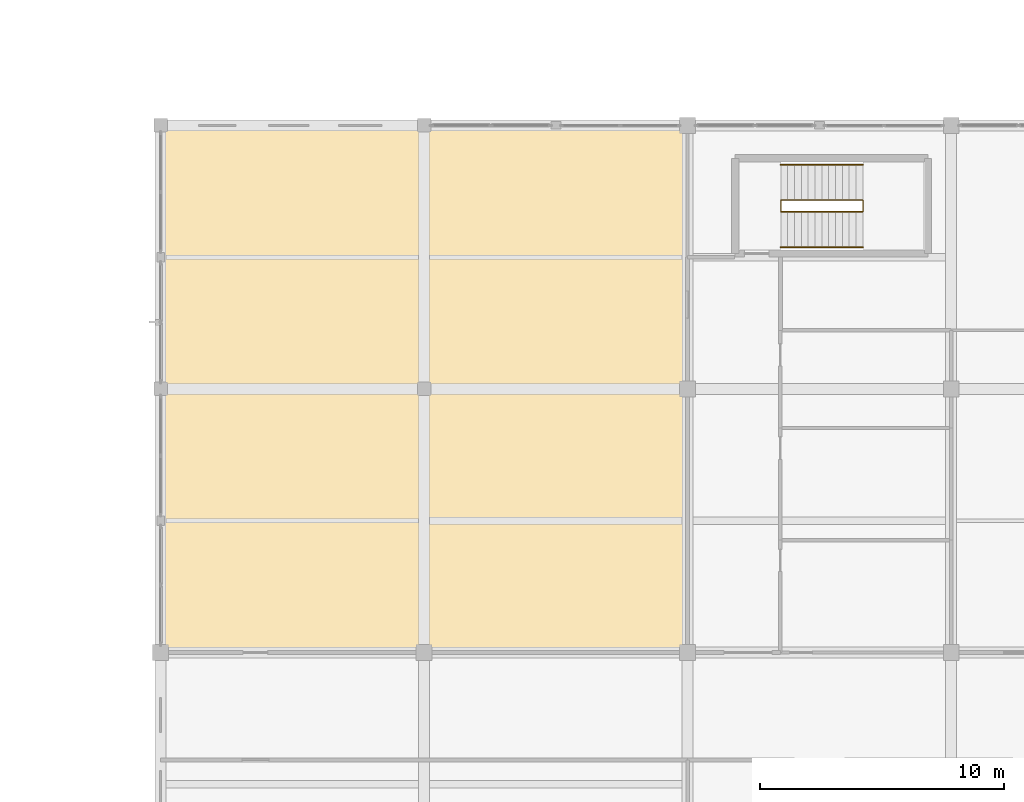
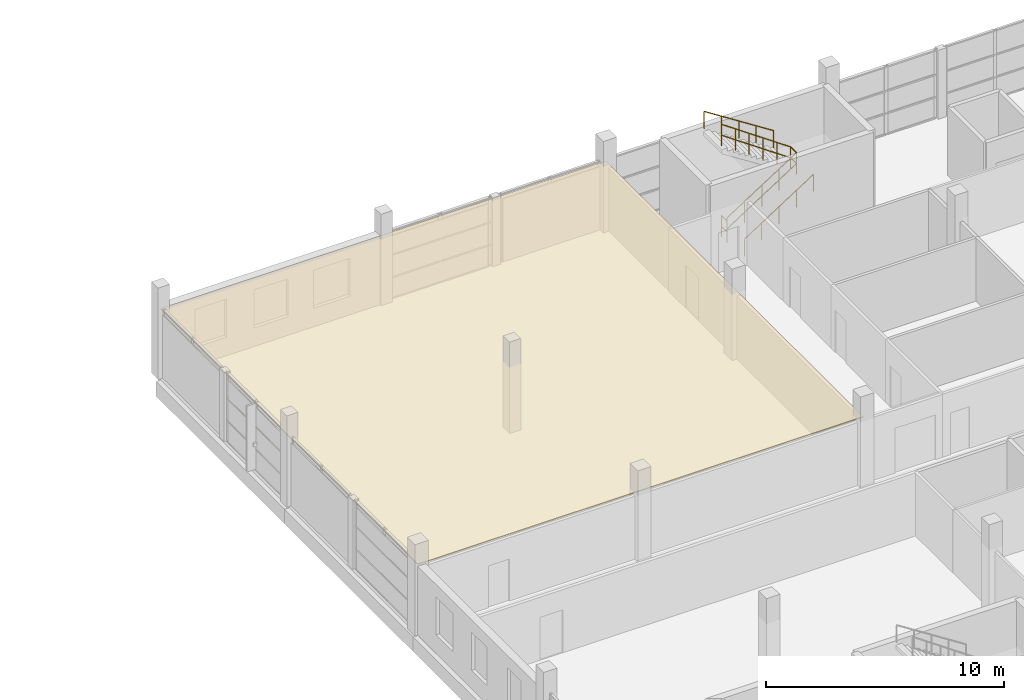
# One storey, part 23 of 24: 4 railings, 1 covering.
"""IFC4 building model written with IfcOpenShell, lengths in metres."""

from ifc_helpers import new_model, si_unit, direction, frame, origin, origin_2d, place, context, subcontext, project, spatial, polyline, circle, outline, extrude, material, layer, layer_set, type_object, element, save


model = new_model("IFC4")

# Units and contexts
model_context = context("Model", 3, precision=1e-05, world=origin(), true_north=direction((0.0, 1.0)))
body_context = subcontext(model_context, "Body", "Model", "MODEL_VIEW")
ifc_project = project(units=[si_unit("LENGTHUNIT", "METRE"), si_unit("AREAUNIT", "SQUARE_METRE"), si_unit("VOLUMEUNIT", "CUBIC_METRE"), si_unit("PLANEANGLEUNIT", "RADIAN"), si_unit("MASSUNIT", "GRAM", prefix="KILO")], contexts=[model_context])

# Site, building, storey
site_placement = place(None, origin())
site = spatial("IfcSite", under=ifc_project, at=site_placement, CompositionType="ELEMENT")
building_placement = place(site_placement, origin())
building = spatial("IfcBuilding", under=site, at=building_placement, Name="Zwinboog Wholesale Market", CompositionType="ELEMENT")
storey_placement = place(building_placement, frame((0.0, 0.0, 10.080078125)))
storey = spatial("IfcBuildingStorey", under=building, at=storey_placement, Name="L02", CompositionType="ELEMENT", Elevation=10.080078125)

# Railings
ifc_material_1 = material(Name="Steel S355", Category="steel")
railing_type_1 = type_object("IfcRailingType", Name="RLT-INT-GUARD", PredefinedType="BALUSTRADE", material=ifc_material_1)
railing_1_placement = place(storey_placement, frame((155.02001953125, 40.139892578125, 0.0)))
element("IfcRailing", 1, at=railing_1_placement, inside=storey, type_object=railing_type_1, Name="GR-02 (RLG-ST-12B-GTOP)", PredefinedType="BALUSTRADE", context=body_context, shape_type="SweptSolid", body=[
    extrude(circle(Radius=0.02392578125, at=origin_2d()), frame((0.0, 0.0, 1.09619140625), z_axis=(0.0, -1.0, 0.0), x_axis=(1.0, 0.0, 0.0)), (0.0, 0.0, 1.0), 0.47998046875),
    extrude(circle(Radius=0.02392578125, at=origin_2d()), frame((0.0, 0.0, 0.5361328125), z_axis=(0.0, -1.0, 0.0), x_axis=(1.0, 0.0, 0.0)), (0.0, 0.0, 1.0), 0.47998046875),
    extrude(circle(Radius=0.02099609375, at=origin_2d()), origin(), (0.0, 0.0, 1.0), 1.072021484375),
    extrude(circle(Radius=0.02099609375, at=origin_2d()), frame((0.0, -0.47998046875, 0.0)), (0.0, 0.0, 1.0), 1.072021484375),
])
railing_2_placement = place(storey_placement, frame((155.02001953125, 39.659912109375, 0.179931640625)))
element("IfcRailing", 2, at=railing_2_placement, inside=storey, type_object=railing_type_1, Name="GR-02 (RLG-ST-12C-G1)", PredefinedType="BALUSTRADE", context=body_context, shape_type="SweptSolid", body=[
    extrude(circle(Radius=0.02392578125, at=origin_2d()), frame((0.0, 0.0, 1.09619140625), z_axis=(0.841178475377, 0.0, 0.540757591313), x_axis=(0.0, 1.0, 0.0)), (0.0, 0.0, 1.0), 3.994140625),
    extrude(circle(Radius=0.02392578125, at=origin_2d()), frame((0.0, 0.0, 0.5361328125), z_axis=(0.841178475377, 0.0, 0.540757591313), x_axis=(0.0, 1.0, 0.0)), (0.0, 0.0, 1.0), 3.994140625),
    extrude(circle(Radius=0.02392578125, at=origin_2d()), frame((3.35986328125, 0.0, 3.255859375), z_axis=(0.0, 1.0, 0.0), x_axis=(-1.0, 0.0, 0.0)), (0.0, 0.0, 1.0), 0.47998046875),
    extrude(circle(Radius=0.02392578125, at=origin_2d()), frame((3.35986328125, 0.0, 2.69580078125), z_axis=(0.0, 1.0, 0.0), x_axis=(-1.0, 0.0, 0.0)), (0.0, 0.0, 1.0), 0.47998046875),
    extrude(circle(Radius=0.02392578125, at=origin_2d()), frame((3.35986328125, 0.47998046875, 3.255859375), z_axis=(-0.820585442616, 0.0, 0.571523867714), x_axis=(0.0, -1.0, 0.0)), (0.0, 0.0, 1.0), 4.094482421875),
    extrude(circle(Radius=0.02392578125, at=origin_2d()), frame((3.35986328125, 0.47998046875, 2.69580078125), z_axis=(-0.820585442616, 0.0, 0.571523867714), x_axis=(0.0, -1.0, 0.0)), (0.0, 0.0, 1.0), 4.094482421875),
    extrude(circle(Radius=0.02099609375, at=origin_2d()), origin(), (0.0, 0.0, 1.0), 1.072021484375),
    extrude(circle(Radius=0.02099609375, at=origin_2d()), frame((0.83984375, 0.0, 0.5400390625)), (0.0, 0.0, 1.0), 1.072021484375),
    extrude(circle(Radius=0.02099609375, at=origin_2d()), frame((1.679931640625, 0.0, 1.080078125)), (0.0, 0.0, 1.0), 1.072021484375),
    extrude(circle(Radius=0.02099609375, at=origin_2d()), frame((2.52001953125, 0.0, 1.619873046875)), (0.0, 0.0, 1.0), 1.072021484375),
    extrude(circle(Radius=0.02099609375, at=origin_2d()), frame((3.35986328125, 0.0, 2.159912109375)), (0.0, 0.0, 1.0), 1.072021484375),
    extrude(circle(Radius=0.02099609375, at=origin_2d()), frame((3.35986328125, 0.47998046875, 2.159912109375)), (0.0, 0.0, 1.0), 1.072021484375),
    extrude(circle(Radius=0.02099609375, at=origin_2d()), frame((2.68798828125, 0.47998046875, 2.6279296875)), (0.0, 0.0, 1.0), 1.072021484375),
    extrude(circle(Radius=0.02099609375, at=origin_2d()), frame((2.015869140625, 0.47998046875, 3.095947265625)), (0.0, 0.0, 1.0), 1.072021484375),
    extrude(circle(Radius=0.02099609375, at=origin_2d()), frame((1.343994140625, 0.47998046875, 3.56396484375)), (0.0, 0.0, 1.0), 1.072021484375),
    extrude(circle(Radius=0.02099609375, at=origin_2d()), frame((0.671875, 0.47998046875, 4.031982421875)), (0.0, 0.0, 1.0), 1.072021484375),
    extrude(circle(Radius=0.02099609375, at=origin_2d()), frame((0.0, 0.47998046875, 4.5)), (0.0, 0.0, 1.0), 1.072021484375),
])
railing_type_2 = type_object("IfcRailingType", Name="RLT-HANDRAIL", PredefinedType="HANDRAIL", material=ifc_material_1)
railing_3_placement = place(storey_placement, frame((155.02001953125, 38.2099609375, 0.179931640625)))
element("IfcRailing", 3, at=railing_3_placement, inside=storey, type_object=railing_type_2, Name="HR-01 (RLG-ST-12C-HR1)", PredefinedType="HANDRAIL", context=body_context, shape_type="SweptSolid", body=[
    extrude(circle(Radius=0.02392578125, at=origin_2d()), frame((0.0, 0.0, 0.8759765625), z_axis=(0.841178475377, 0.0, 0.540757591313), x_axis=(0.0, 1.0, 0.0)), (0.0, 0.0, 1.0), 3.994140625),
    extrude(circle(Radius=0.02099609375, at=origin_2d()), origin(), (0.0, 0.0, 1.0), 0.851806640625),
    extrude(circle(Radius=0.02099609375, at=origin_2d()), frame((0.83984375, 0.0, 0.5400390625)), (0.0, 0.0, 1.0), 0.851806640625),
    extrude(circle(Radius=0.02099609375, at=origin_2d()), frame((1.679931640625, 0.0, 1.080078125)), (0.0, 0.0, 1.0), 0.851806640625),
    extrude(circle(Radius=0.02099609375, at=origin_2d()), frame((2.52001953125, 0.0, 1.619873046875)), (0.0, 0.0, 1.0), 0.851806640625),
    extrude(circle(Radius=0.02099609375, at=origin_2d()), frame((3.35986328125, 0.0, 2.159912109375)), (0.0, 0.0, 1.0), 0.851806640625),
])
railing_4_placement = place(storey_placement, frame((158.3798828125, 41.590087890625, 2.52001953125)))
element("IfcRailing", 4, at=railing_4_placement, inside=storey, type_object=railing_type_2, Name="HR-01 (RLG-ST-12C-HR2)", PredefinedType="HANDRAIL", context=body_context, shape_type="SweptSolid", body=[
    extrude(circle(Radius=0.02392578125, at=origin_2d()), frame((0.0, 0.0, 0.8759765625), z_axis=(-0.841178475377, 0.0, 0.540757591313), x_axis=(0.0, -1.0, 0.0)), (0.0, 0.0, 1.0), 3.994140625),
    extrude(circle(Radius=0.02099609375, at=origin_2d()), origin(), (0.0, 0.0, 1.0), 0.851806640625),
    extrude(circle(Radius=0.02099609375, at=origin_2d()), frame((-0.83984375, 0.0, 0.5400390625)), (0.0, 0.0, 1.0), 0.851806640625),
    extrude(circle(Radius=0.02099609375, at=origin_2d()), frame((-1.679931640625, 0.0, 1.080078125)), (0.0, 0.0, 1.0), 0.851806640625),
    extrude(circle(Radius=0.02099609375, at=origin_2d()), frame((-2.52001953125, 0.0, 1.619873046875)), (0.0, 0.0, 1.0), 0.851806640625),
    extrude(circle(Radius=0.02099609375, at=origin_2d()), frame((-3.35986328125, 0.0, 2.159912109375)), (0.0, 0.0, 1.0), 0.851806640625),
])

# Covering
ifc_material_2 = material(Name="Hygienic washable acoustic gypsum ceiling")
ifc_layer = layer(ifc_material_2, 0.050048828125)
ifc_layer_set = layer_set([ifc_layer], Name="Hygienic washable acoustic gypsum ceiling")
covering_type = type_object("IfcCoveringType", Name="COV-CEIL-HYG", PredefinedType="CEILING", material=ifc_layer_set)
covering_placement = place(storey_placement, frame((0.0, 0.0, 3.329833984375)))
element("IfcCovering", 5, at=covering_placement, inside=storey, type_object=covering_type, Name="CL-02 (COV-CL-L02-039)", PredefinedType="CEILING", context=body_context, shape_type="SweptSolid", body=[
    extrude(outline(polyline([(129.60009765625, 21.60009765625), (151.199951171875, 21.60009765625), (151.199951171875, 43.199951171875), (129.60009765625, 43.199951171875), (129.60009765625, 21.60009765625)])), origin(), (0.0, 0.0, 1.0), 0.050048828125),
])

save(model, "model.ifc")
